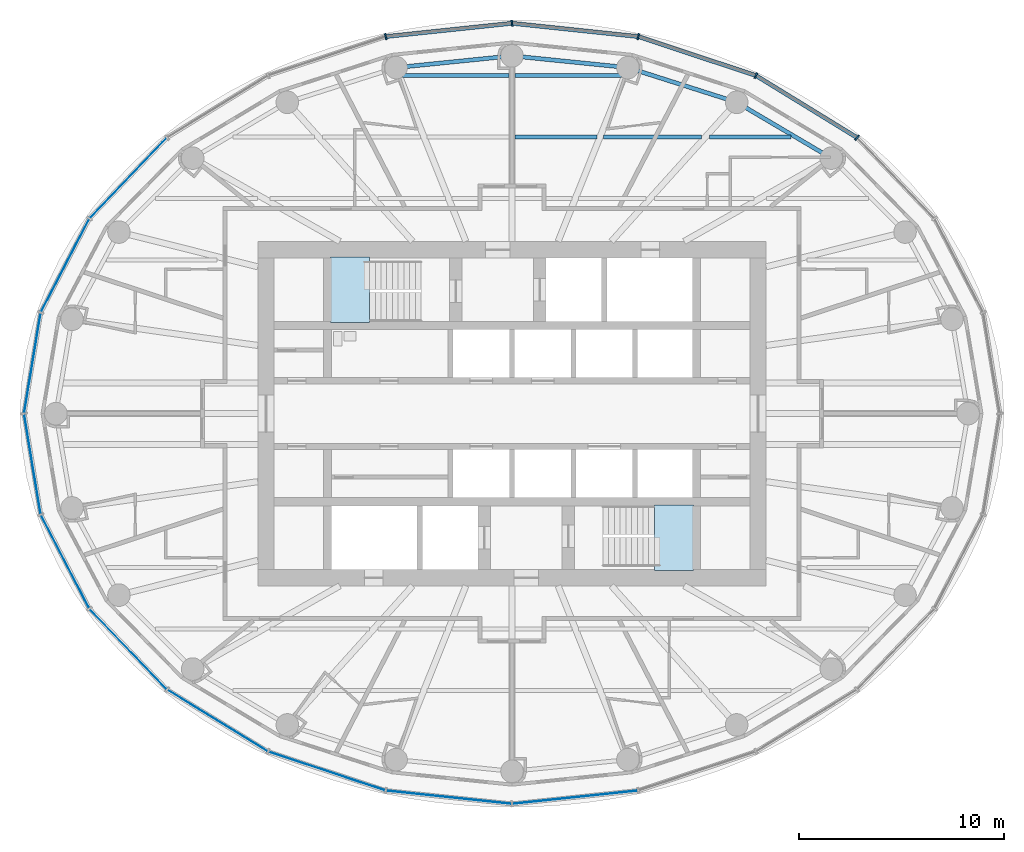
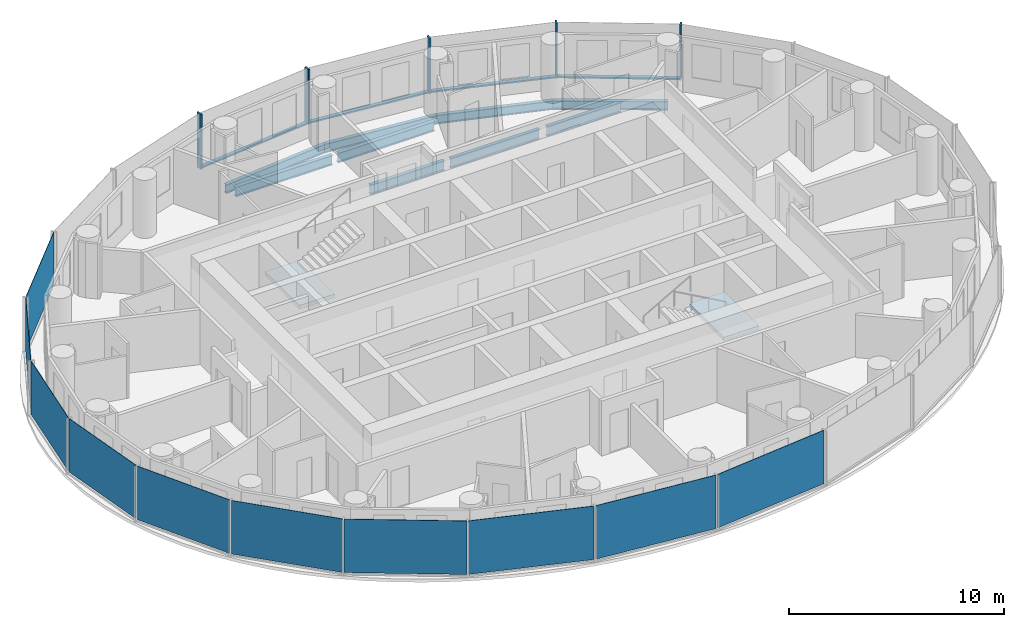
# One storey, part 4 of 16: 10 plates, 9 beams, 9 members, 2 slabs, 6 elements without a shape of their own.
"""IFC4 building model written with IfcOpenShell, lengths in metres."""

from ifc_helpers import new_model, si_unit, direction, frame, origin, origin_2d, place, context, subcontext, project, spatial, polyline, rectangle, i_section, outline, extrude, material, layer, layer_set, material_profile, profile_set, type_object, element, aggregate, save


model = new_model("IFC4")

# Units and contexts
model_context = context("Model", 3, precision=1e-05, world=origin(), true_north=direction((0.0, 1.0)))
body_context = subcontext(model_context, "Body", "Model", "MODEL_VIEW")
ifc_project = project(units=[si_unit("LENGTHUNIT", "METRE"), si_unit("AREAUNIT", "SQUARE_METRE"), si_unit("VOLUMEUNIT", "CUBIC_METRE"), si_unit("PLANEANGLEUNIT", "RADIAN"), si_unit("MASSUNIT", "GRAM", prefix="KILO")], contexts=[model_context])

# Site, building, storey
site_placement = place(None, origin())
site = spatial("IfcSite", under=ifc_project, at=site_placement, CompositionType="ELEMENT")
building_placement = place(site_placement, origin())
building = spatial("IfcBuilding", under=site, at=building_placement, Name="Hankou Lantern Tower", CompositionType="ELEMENT")
storey_placement = place(building_placement, frame((0.0, 0.0, 150.0)))
storey = spatial("IfcBuildingStorey", under=building, at=storey_placement, Name="L39", CompositionType="ELEMENT", Elevation=150.0)

# Beams
ifc_material_1 = material(Name="Steel Q355B", Category="steel")
ifc_material_profile_1 = material_profile(ifc_material_1, i_section(OverallWidth=0.199951171875, OverallDepth=0.5, WebThickness=0.010009765625, FlangeThickness=0.01611328125, FilletRadius=0.012939453125, at=origin_2d()), Name="HN500x200x10x16")
ifc_profile_set_1 = profile_set([ifc_material_profile_1], Name="Steel Q355B")
beam_type_1 = type_object("IfcBeamType", Name="EB5 RING BEAM HN500x200x10x16", PredefinedType="SPANDREL", material=ifc_profile_set_1)
beam_1_placement = place(storey_placement, frame((15.576171875, 12.4609375, -0.429931640625), z_axis=(-0.861135888339, 0.508374843806, 0.0), x_axis=(-0.508374843806, -0.861135888339, 0.0)))
element("IfcBeam", 1, at=beam_1_placement, inside=storey, type_object=beam_type_1, Name="Ring beam R04-R05 L39", PredefinedType="SPANDREL", context=body_context, shape_type="SweptSolid", body=[
    extrude(i_section(OverallWidth=0.199951171875, OverallDepth=0.5, WebThickness=0.010009765625, FlangeThickness=0.01611328125, FilletRadius=0.012939453125, at=origin_2d()), origin(), (0.0, 0.0, 1.0), 5.36083984375),
])
beam_2_placement = place(storey_placement, frame((10.959716796875, 15.186279296875, -0.429931640625), z_axis=(-0.952790404271, 0.30362879562, 0.0), x_axis=(-0.30362879562, -0.952790404271, 0.0)))
element("IfcBeam", 2, at=beam_2_placement, inside=storey, type_object=beam_type_1, Name="Ring beam R05-R06 L39", PredefinedType="SPANDREL", context=body_context, shape_type="SweptSolid", body=[
    extrude(i_section(OverallWidth=0.199951171875, OverallDepth=0.5, WebThickness=0.010009765625, FlangeThickness=0.01611328125, FilletRadius=0.012939453125, at=origin_2d()), origin(), (0.0, 0.0, 1.0), 5.56982421875),
])
for number, where, z_axis, x_axis, name in (
    (3, (5.65283203125, 16.87744140625, -0.429931640625), (-0.9949104636, 0.100762936734, 0.0), (-0.100762936734, -0.9949104636, 0.0), "Ring beam R06-R07 L39"),
    (4, (0.0, 17.449951171875, -0.429931640625), (-0.9949104636, -0.100762936734, 0.0), (0.100762936734, -0.9949104636, 0.0), "Ring beam R07-R08 L39"),
):
    element("IfcBeam", number, at=place(storey_placement, frame(where, z_axis=z_axis, x_axis=x_axis)), inside=storey, type_object=beam_type_1, Name=name, PredefinedType="SPANDREL", context=body_context, shape_type="SweptSolid", body=[
        extrude(i_section(OverallWidth=0.199951171875, OverallDepth=0.5, WebThickness=0.010009765625, FlangeThickness=0.01611328125, FilletRadius=0.012939453125, at=origin_2d()), origin(), (0.0, 0.0, 1.0), 5.681640625),
    ])

# Curtain wall, members
ifc_material_2 = material(Name="Glass, dark grey tinted laminated", Category="glass")
curtain_wall_type = type_object("IfcCurtainWallType", Name="CWC OUTER SKIN HIGH-RISE", PredefinedType="USERDEFINED", material=ifc_material_2)
curtain_wall_1_placement = place(storey_placement, origin())
curtain_wall_1 = element("IfcCurtainWall", 5, at=curtain_wall_1_placement, inside=storey, type_object=curtain_wall_type, Name="CWC L39 OS1", ObjectType="OUTER SKIN HIGH-RISE", PredefinedType="USERDEFINED")
ifc_material_3 = material(Name="Aluminium, black anodised", Category="aluminium")
ifc_material_profile_2 = material_profile(ifc_material_3, rectangle(XDim=0.080078125, YDim=0.300048828125, at=origin_2d()), Name="MU1 80X300")
ifc_profile_set_2 = profile_set([ifc_material_profile_2], Name="Aluminium, black anodised")
member_type_1 = type_object("IfcMemberType", Name="MU1 OUTER SKIN MULLION 80X300", PredefinedType="MULLION", material=ifc_profile_set_2)
member_1_placement = place(storey_placement, frame((16.8291015625, 13.46337890625, 0.0), z_axis=(0.0, 0.0, 1.0), x_axis=(-0.780868809444, 0.624695047553, 0.0)))
member_1 = element("IfcMember", 6, at=member_1_placement, type_object=member_type_1, Name="CWC mullion 4", PredefinedType="MULLION", context=body_context, shape_type="SweptSolid", body=[
    extrude(rectangle(XDim=0.080078125, YDim=0.300048828125, at=origin_2d()), origin(), (0.0, 0.0, 1.0), 3.1201171875),
])
member_2_placement = place(storey_placement, frame((11.89990234375, 16.489013671875, 0.0), z_axis=(0.0, 0.0, 1.0), x_axis=(-0.907841299004, 0.419313934686, 0.0)))
member_2 = element("IfcMember", 7, at=member_2_placement, type_object=member_type_1, Name="CWC mullion 5", PredefinedType="MULLION", context=body_context, shape_type="SweptSolid", body=[
    extrude(rectangle(XDim=0.080078125, YDim=0.300048828125, at=origin_2d()), origin(), (0.0, 0.0, 1.0), 3.1201171875),
])
member_3_placement = place(storey_placement, frame((6.159912109375, 18.39111328125, 0.0), z_axis=(0.0, 0.0, 1.0), x_axis=(-0.977787659625, 0.209597931016, 0.0)))
member_3 = element("IfcMember", 8, at=member_3_placement, type_object=member_type_1, Name="CWC mullion 6", PredefinedType="MULLION", context=body_context, shape_type="SweptSolid", body=[
    extrude(rectangle(XDim=0.080078125, YDim=0.300048828125, at=origin_2d()), origin(), (0.0, 0.0, 1.0), 3.1201171875),
])

curtain_wall_2_placement = place(storey_placement, origin())
curtain_wall_2 = element("IfcCurtainWall", 9, at=curtain_wall_2_placement, inside=storey, type_object=curtain_wall_type, Name="CWC L39 OS2", ObjectType="OUTER SKIN HIGH-RISE", PredefinedType="USERDEFINED")
member_4_placement = place(storey_placement, frame((0.0, 19.0400390625, 0.0), z_axis=(0.0, 0.0, 1.0), x_axis=(-0.994499359107, -0.104742659579, 0.0)))
member_4 = element("IfcMember", 10, at=member_4_placement, type_object=member_type_1, Name="CWC mullion 1", PredefinedType="MULLION", context=body_context, shape_type="SweptSolid", body=[
    extrude(rectangle(XDim=0.080078125, YDim=0.300048828125, at=origin_2d()), origin(), (0.0, 0.0, 1.0), 3.1201171875),
])
member_5_placement = place(storey_placement, frame((-6.159912109375, 18.39111328125, 0.0), z_axis=(0.0, 0.0, 1.0), x_axis=(-0.977787659625, -0.209597931016, 0.0)))
member_5 = element("IfcMember", 11, at=member_5_placement, type_object=member_type_1, Name="CWC mullion 2", PredefinedType="MULLION", context=body_context, shape_type="SweptSolid", body=[
    extrude(rectangle(XDim=0.080078125, YDim=0.300048828125, at=origin_2d()), origin(), (0.0, 0.0, 1.0), 3.1201171875),
])

# Beams
ifc_material_4 = material(Name="Steel Q355B", Category="steel")
ifc_material_profile_3 = material_profile(ifc_material_4, i_section(OverallWidth=0.199951171875, OverallDepth=0.550048828125, WebThickness=0.010009765625, FlangeThickness=0.01611328125, FilletRadius=0.012939453125, at=origin_2d()), Name="HN550x200x10x16")
ifc_profile_set_3 = profile_set([ifc_material_profile_3], Name="Steel Q355B")
beam_type_2 = type_object("IfcBeamType", Name="SB6 SECONDARY BEAM HN550x200x10x16", PredefinedType="JOIST", material=ifc_profile_set_3)
beam_3_placement = place(storey_placement, frame((0.14990234375, 13.5, -0.455078125), z_axis=(1.0, 0.0, 0.0), x_axis=(0.0, 1.0, 0.0)))
element("IfcBeam", 12, at=beam_3_placement, inside=storey, type_object=beam_type_2, Name="Floor joist J038 L39", PredefinedType="JOIST", context=body_context, shape_type="SweptSolid", body=[
    extrude(i_section(OverallWidth=0.199951171875, OverallDepth=0.550048828125, WebThickness=0.010009765625, FlangeThickness=0.01611328125, FilletRadius=0.012939453125, at=origin_2d()), origin(), (0.0, 0.0, 1.0), 3.986083984375),
])
beam_4_placement = place(storey_placement, frame((4.459228515625, 13.5, -0.455078125), z_axis=(1.0, 0.0, 0.0), x_axis=(0.0, 1.0, 0.0)))
element("IfcBeam", 13, at=beam_4_placement, inside=storey, type_object=beam_type_2, Name="Floor joist J039 L39", PredefinedType="JOIST", context=body_context, shape_type="SweptSolid", body=[
    extrude(i_section(OverallWidth=0.199951171875, OverallDepth=0.550048828125, WebThickness=0.010009765625, FlangeThickness=0.01611328125, FilletRadius=0.012939453125, at=origin_2d()), origin(), (0.0, 0.0, 1.0), 4.780517578125),
])
beam_5_placement = place(storey_placement, frame((9.643310546875, 13.5, -0.455078125), z_axis=(1.0, 0.0, 0.0), x_axis=(0.0, 1.0, 0.0)))
element("IfcBeam", 14, at=beam_5_placement, inside=storey, type_object=beam_type_2, Name="Floor joist J040 L39", PredefinedType="JOIST", context=body_context, shape_type="SweptSolid", body=[
    extrude(i_section(OverallWidth=0.199951171875, OverallDepth=0.550048828125, WebThickness=0.010009765625, FlangeThickness=0.01611328125, FilletRadius=0.012939453125, at=origin_2d()), origin(), (0.0, 0.0, 1.0), 3.97607421875),
])
for number, where, z_axis, x_axis, name in (
    (15, (-5.33984375, 16.5, -0.455078125), (1.0, 0.0, 0.0), (0.0, 1.0, 0.0), "Floor joist J041 L39"),
    (16, (0.14990234375, 16.5, -0.455078125), (1.0, 0.0, 0.0), (0.0, 1.0, 0.0), "Floor joist J042 L39"),
):
    element("IfcBeam", number, at=place(storey_placement, frame(where, z_axis=z_axis, x_axis=x_axis)), inside=storey, type_object=beam_type_2, Name=name, PredefinedType="JOIST", context=body_context, shape_type="SweptSolid", body=[
        extrude(i_section(OverallWidth=0.199951171875, OverallDepth=0.550048828125, WebThickness=0.010009765625, FlangeThickness=0.01611328125, FilletRadius=0.012939453125, at=origin_2d()), origin(), (0.0, 0.0, 1.0), 5.18994140625),
    ])

# Member
ifc_material_5 = material(Name="Aluminium, black anodised", Category="aluminium")
ifc_material_profile_4 = material_profile(ifc_material_5, rectangle(XDim=0.199951171875, YDim=0.080078125, at=origin_2d()), Name="TR1 200X80")
ifc_profile_set_4 = profile_set([ifc_material_profile_4], Name="Aluminium, black anodised")
member_type_2 = type_object("IfcMemberType", Name="TR1 OUTER SKIN TRANSOM 200X80", PredefinedType="USERDEFINED", material=ifc_profile_set_4)
member_6_placement = place(storey_placement, frame((16.795166015625, 13.484130859375, 0.0400390625), z_axis=(-0.852229482357, 0.523168146394, 0.0), x_axis=(-0.523168146394, -0.852229482357, 0.0)))
member_6 = element("IfcMember", 17, at=member_6_placement, type_object=member_type_2, Name="CWC transom 4", ObjectType="TRANSOM", PredefinedType="USERDEFINED", context=body_context, shape_type="SweptSolid", body=[
    extrude(rectangle(XDim=0.199951171875, YDim=0.080078125, at=origin_2d()), origin(), (0.0, 0.0, 1.0), 5.703857421875),
])

member_7_placement = place(storey_placement, frame((11.862060546875, 16.501708984375, 0.0400390625), z_axis=(-0.949242327551, 0.314545709849, 0.0), x_axis=(-0.314545709849, -0.949242327551, 0.0)))
member_7 = element("IfcMember", 18, at=member_7_placement, type_object=member_type_2, Name="CWC transom 5", ObjectType="TRANSOM", PredefinedType="USERDEFINED", context=body_context, shape_type="SweptSolid", body=[
    extrude(rectangle(XDim=0.199951171875, YDim=0.080078125, at=origin_2d()), origin(), (0.0, 0.0, 1.0), 5.96728515625),
])

member_8_placement = place(storey_placement, frame((6.1201171875, 18.3955078125, 0.0400390625), z_axis=(-0.994499543631, 0.104740907567, 0.0), x_axis=(-0.104740907567, -0.994499543631, 0.0)))
member_8 = element("IfcMember", 19, at=member_8_placement, type_object=member_type_2, Name="CWC transom 6", ObjectType="TRANSOM", PredefinedType="USERDEFINED", context=body_context, shape_type="SweptSolid", body=[
    extrude(rectangle(XDim=0.199951171875, YDim=0.080078125, at=origin_2d()), origin(), (0.0, 0.0, 1.0), 6.114013671875),
])

aggregate(curtain_wall_1, [member_1, member_2, member_3, member_6, member_7, member_8])

member_9_placement = place(storey_placement, frame((-0.039794921875, 19.035888671875, 0.0400390625), z_axis=(-0.994499543631, -0.104740907567, 0.0), x_axis=(0.104740907567, -0.994499543631, 0.0)))
member_9 = element("IfcMember", 20, at=member_9_placement, type_object=member_type_2, Name="CWC transom 1", ObjectType="TRANSOM", PredefinedType="USERDEFINED", context=body_context, shape_type="SweptSolid", body=[
    extrude(rectangle(XDim=0.199951171875, YDim=0.080078125, at=origin_2d()), origin(), (0.0, 0.0, 1.0), 6.114013671875),
])

# Plate
ifc_material_6 = material(Name="Glass, dark grey tinted laminated", Category="glass")
ifc_layer_1 = layer(ifc_material_6, 0.02392578125)
ifc_layer_set_1 = layer_set([ifc_layer_1], Name="Glass, dark grey tinted laminated")
plate_type = type_object("IfcPlateType", Name="PN1 OUTER SKIN GLASS PANEL", PredefinedType="CURTAIN_PANEL", material=ifc_layer_set_1)
plate_1_placement = place(storey_placement, frame((-18.72021484375, 11.49169921875, 0.080078125), z_axis=(0.0, 0.0, 1.0), x_axis=(-0.692215809936, -0.721690565599, 0.0)))
plate_1 = element("IfcPlate", 21, at=plate_1_placement, type_object=plate_type, Name="CWC glass panel 4", PredefinedType="CURTAIN_PANEL", context=body_context, shape_type="SweptSolid", body=[
    extrude(rectangle(XDim=5.384033203125, YDim=0.02392578125, at=origin_2d()), origin(), (0.0, 0.0, 1.0), 3.0400390625),
])

plate_2_placement = place(storey_placement, frame((-21.80029296875, 7.223876953125, 0.080078125), z_axis=(0.0, 0.0, 1.0), x_axis=(-0.459791091957, -0.888027112062, 0.0)))
plate_2 = element("IfcPlate", 22, at=plate_2_placement, type_object=plate_type, Name="CWC glass panel 5", PredefinedType="CURTAIN_PANEL", context=body_context, shape_type="SweptSolid", body=[
    extrude(rectangle(XDim=5.091064453125, YDim=0.02392578125, at=origin_2d()), origin(), (0.0, 0.0, 1.0), 3.0400390625),
])

plate_3_placement = place(storey_placement, frame((-23.39453125, 2.4638671875, 0.080078125), z_axis=(0.0, 0.0, 1.0), x_axis=(-0.162381515188, -0.986728049427, 0.0)))
plate_3 = element("IfcPlate", 23, at=plate_3_placement, type_object=plate_type, Name="CWC glass panel 6", PredefinedType="CURTAIN_PANEL", context=body_context, shape_type="SweptSolid", body=[
    extrude(rectangle(XDim=4.914306640625, YDim=0.02392578125, at=origin_2d()), origin(), (0.0, 0.0, 1.0), 3.0400390625),
])

aggregate(curtain_wall_2, [member_4, member_5, member_9, plate_1, plate_2, plate_3])

# Curtain wall, plates
curtain_wall_3_placement = place(storey_placement, origin())
curtain_wall_3 = element("IfcCurtainWall", 24, at=curtain_wall_3_placement, inside=storey, type_object=curtain_wall_type, Name="CWC L39 OS3", ObjectType="OUTER SKIN HIGH-RISE", PredefinedType="USERDEFINED")
plate_4_placement = place(storey_placement, frame((-23.39453125, -2.4638671875, 0.080078125), z_axis=(0.0, 0.0, 1.0), x_axis=(0.162381515188, -0.986728049427, 0.0)))
plate_4 = element("IfcPlate", 25, at=plate_4_placement, type_object=plate_type, Name="CWC glass panel 1", PredefinedType="CURTAIN_PANEL", context=body_context, shape_type="SweptSolid", body=[
    extrude(rectangle(XDim=4.914306640625, YDim=0.02392578125, at=origin_2d()), origin(), (0.0, 0.0, 1.0), 3.0400390625),
])
plate_5_placement = place(storey_placement, frame((-21.80029296875, -7.223876953125, 0.080078125), z_axis=(0.0, 0.0, 1.0), x_axis=(0.459791091957, -0.888027112062, 0.0)))
plate_5 = element("IfcPlate", 26, at=plate_5_placement, type_object=plate_type, Name="CWC glass panel 2", PredefinedType="CURTAIN_PANEL", context=body_context, shape_type="SweptSolid", body=[
    extrude(rectangle(XDim=5.091064453125, YDim=0.02392578125, at=origin_2d()), origin(), (0.0, 0.0, 1.0), 3.0400390625),
])
plate_6_placement = place(storey_placement, frame((-18.72021484375, -11.49169921875, 0.080078125), z_axis=(0.0, 0.0, 1.0), x_axis=(0.692215809936, -0.721690565599, 0.0)))
plate_6 = element("IfcPlate", 27, at=plate_6_placement, type_object=plate_type, Name="CWC glass panel 3", PredefinedType="CURTAIN_PANEL", context=body_context, shape_type="SweptSolid", body=[
    extrude(rectangle(XDim=5.384033203125, YDim=0.02392578125, at=origin_2d()), origin(), (0.0, 0.0, 1.0), 3.0400390625),
])
plate_7_placement = place(storey_placement, frame((-14.364501953125, -14.976318359375, 0.080078125), z_axis=(0.0, 0.0, 1.0), x_axis=(0.852237151549, -0.523155653242, 0.0)))
plate_7 = element("IfcPlate", 28, at=plate_7_placement, type_object=plate_type, Name="CWC glass panel 4", PredefinedType="CURTAIN_PANEL", context=body_context, shape_type="SweptSolid", body=[
    extrude(rectangle(XDim=5.703857421875, YDim=0.02392578125, at=origin_2d()), origin(), (0.0, 0.0, 1.0), 3.0400390625),
])
plate_8_placement = place(storey_placement, frame((-9.030029296875, -17.440185546875, 0.080078125), z_axis=(0.0, 0.0, 1.0), x_axis=(0.949240677293, -0.31455068999, 0.0)))
plate_8 = element("IfcPlate", 29, at=plate_8_placement, type_object=plate_type, Name="CWC glass panel 5", PredefinedType="CURTAIN_PANEL", context=body_context, shape_type="SweptSolid", body=[
    extrude(rectangle(XDim=5.967041015625, YDim=0.02392578125, at=origin_2d()), origin(), (0.0, 0.0, 1.0), 3.0400390625),
])
plate_9_placement = place(storey_placement, frame((-3.079833984375, -18.715576171875, 0.080078125), z_axis=(0.0, 0.0, 1.0), x_axis=(0.994499359107, -0.104742659579, 0.0)))
plate_9 = element("IfcPlate", 30, at=plate_9_placement, type_object=plate_type, Name="CWC glass panel 6", PredefinedType="CURTAIN_PANEL", context=body_context, shape_type="SweptSolid", body=[
    extrude(rectangle(XDim=6.114013671875, YDim=0.02392578125, at=origin_2d()), origin(), (0.0, 0.0, 1.0), 3.0400390625),
])
aggregate(curtain_wall_3, [plate_4, plate_5, plate_6, plate_7, plate_8, plate_9])

# Curtain wall, plate
curtain_wall_4_placement = place(storey_placement, origin())
curtain_wall_4 = element("IfcCurtainWall", 31, at=curtain_wall_4_placement, inside=storey, type_object=curtain_wall_type, Name="CWC L39 OS4", ObjectType="OUTER SKIN HIGH-RISE", PredefinedType="USERDEFINED")
plate_10_placement = place(storey_placement, frame((3.079833984375, -18.715576171875, 0.080078125), z_axis=(0.0, 0.0, 1.0), x_axis=(0.994499359107, 0.104742659579, 0.0)))
plate_10 = element("IfcPlate", 32, at=plate_10_placement, type_object=plate_type, Name="CWC glass panel 1", PredefinedType="CURTAIN_PANEL", context=body_context, shape_type="SweptSolid", body=[
    extrude(rectangle(XDim=6.114013671875, YDim=0.02392578125, at=origin_2d()), origin(), (0.0, 0.0, 1.0), 3.0400390625),
])
aggregate(curtain_wall_4, [plate_10])

# Stair, slab
ifc_material_7 = material(Name="Concrete C40", Category="concrete")
stair_type = type_object("IfcStairType", Name="ST33 CORE STAIR 3300 RISE", PredefinedType="HALF_TURN_STAIR", material=ifc_material_7)
stair_1_placement = place(storey_placement, origin())
stair_1 = element("IfcStair", 33, at=stair_1_placement, inside=storey, type_object=stair_type, Name="Stair STA L39", PredefinedType="HALF_TURN_STAIR")
ifc_material_8 = material(Name="Concrete C40", Category="concrete")
ifc_layer_2 = layer(ifc_material_8, 0.199951171875)
ifc_layer_set_2 = layer_set([ifc_layer_2], Name="Concrete C40")
slab_type = type_object("IfcSlabType", Name="SL1 STAIR LANDING 200", PredefinedType="LANDING", material=ifc_layer_set_2)
slab_1_placement = place(storey_placement, frame((0.0, 0.0, 1.371337890625)))
slab_1 = element("IfcSlab", 34, at=slab_1_placement, type_object=slab_type, Name="STA landing 1", PredefinedType="LANDING", context=body_context, shape_type="SweptSolid", body=[
    extrude(outline(polyline([(-8.85009765625, 4.449951171875), (-6.949951171875, 4.449951171875), (-6.949951171875, 7.64990234375), (-8.85009765625, 7.64990234375), (-8.85009765625, 4.449951171875)])), origin(), (0.0, 0.0, 1.0), 0.2001953125),
])
aggregate(stair_1, [slab_1])

stair_2_placement = place(storey_placement, origin())
stair_2 = element("IfcStair", 35, at=stair_2_placement, inside=storey, type_object=stair_type, Name="Stair STB L39", PredefinedType="HALF_TURN_STAIR")
slab_2_placement = place(storey_placement, frame((0.0, 0.0, 1.371337890625)))
slab_2 = element("IfcSlab", 36, at=slab_2_placement, type_object=slab_type, Name="STB landing 1", PredefinedType="LANDING", context=body_context, shape_type="SweptSolid", body=[
    extrude(outline(polyline([(8.85009765625, -4.449951171875), (6.949951171875, -4.449951171875), (6.949951171875, -7.64990234375), (8.85009765625, -7.64990234375), (8.85009765625, -4.449951171875)])), origin(), (0.0, 0.0, 1.0), 0.2001953125),
])
aggregate(stair_2, [slab_2])

save(model, "model.ifc")
